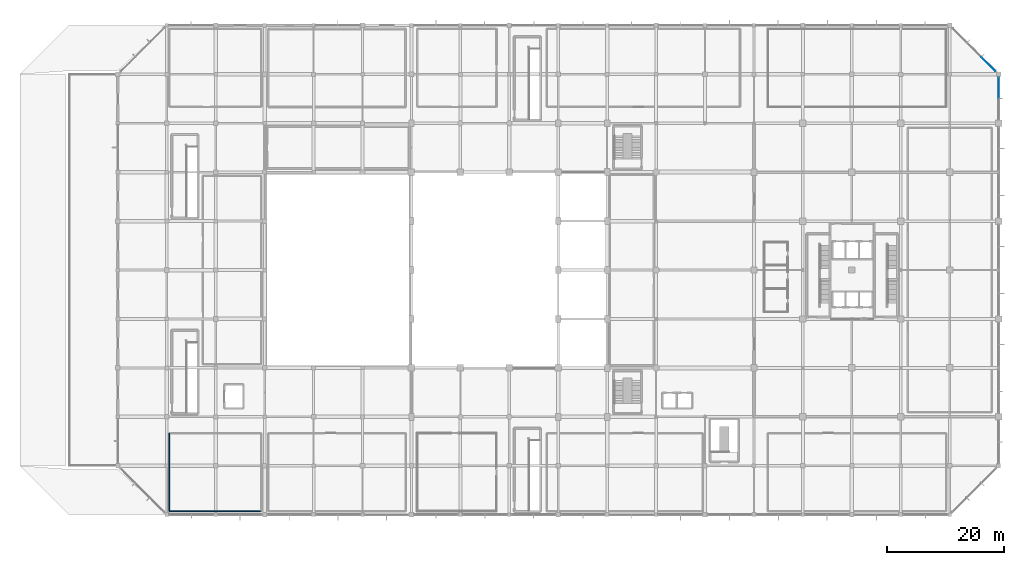
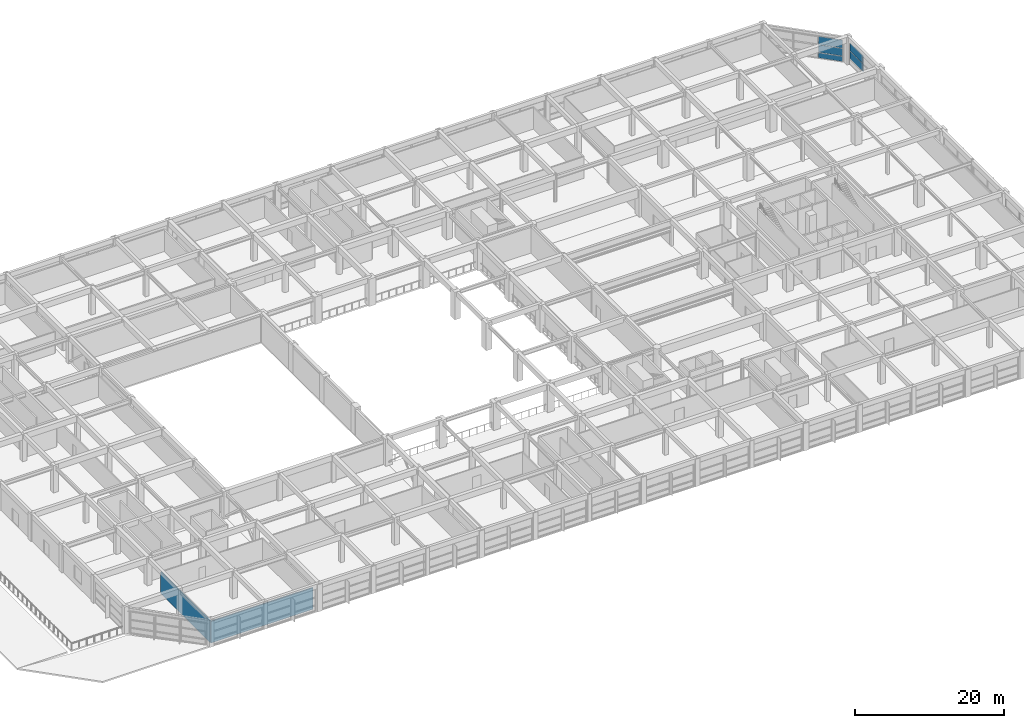
# One storey, part 41 of 56: 5 plates, 2 walls, 2 elements without a shape of their own.
"""IFC4 building model written with IfcOpenShell, lengths in metres."""

import ifcopenshell
import ifcopenshell.guid

model = None  # the IFC model being written
_history = None  # IfcOwnerHistory: only IFC2X3 demands one
_inside = {}  # id of a spatial element -> (the spatial element, [elements in it])
_under = {}  # id of a project, library or spatial element -> (it, [spatial elements below it])
_declared = {}  # id of a project -> (the project, [libraries it declares])
_typed = {}  # id of a type object -> (the type object, [elements of that type])
_made_of = {}  # id of a material, layer set ... -> (it, [elements and type objects made of it])


def new_model(schema):
    """Start an empty IFC model of exactly this schema.

    Asked for "IFC4X3", IfcOpenShell would pick the latest addendum, in which some entities
    have other attributes; the version numbers below select the first issue.
    IFC2X3 requires an IfcOwnerHistory on every rooted entity: one is made here for all.
    """
    global model, _history
    if schema == "IFC4X3":
        model = ifcopenshell.file(schema_version=(4, 3, 0, 0))
    else:
        model = ifcopenshell.file(schema=schema)
    _inside.clear()
    _under.clear()
    _declared.clear()
    _typed.clear()
    _made_of.clear()
    _history = None
    if model.schema == "IFC2X3":
        org = make("IfcOrganization", Name="unknown")
        user = make(
            "IfcPersonAndOrganization",
            ThePerson=make("IfcPerson", FamilyName="unknown"),
            TheOrganization=org,
        )
        app = make(
            "IfcApplication",
            ApplicationDeveloper=org,
            Version="unknown",
            ApplicationFullName="unknown",
            ApplicationIdentifier="unknown",
        )
        _history = make(
            "IfcOwnerHistory",
            OwningUser=user,
            OwningApplication=app,
            ChangeAction="ADDED",
            CreationDate=0,
        )
    return model


def make(cls, **values):
    """One entity of the class cls with the attributes given. An attribute that is None is left unset."""
    return model.create_entity(
        cls, **{name: value for name, value in values.items() if value is not None}
    )


def rooted(cls, **values):
    """An entity with a GlobalId (a new one), such as an element, a storey or a relation."""
    return make(cls, GlobalId=ifcopenshell.guid.new(), OwnerHistory=_history, **values)


def si_unit(unit_type, name, prefix=None):
    """IfcSIUnit, for example si_unit("LENGTHUNIT", "METRE", prefix="MILLI")."""
    return make("IfcSIUnit", UnitType=unit_type, Prefix=prefix, Name=name)


def assignment(units):
    """IfcUnitAssignment: the units of a project."""
    return None if units is None else make("IfcUnitAssignment", Units=units)


def point(xyz):
    """IfcCartesianPoint."""
    return None if xyz is None else make("IfcCartesianPoint", Coordinates=xyz)


def direction(xyz):
    """IfcDirection."""
    return None if xyz is None else make("IfcDirection", DirectionRatios=xyz)


def frame(location, z_axis=None, x_axis=None):
    """IfcAxis2Placement3D, a coordinate frame: its origin and axes. An axis left out is left unset."""
    return make(
        "IfcAxis2Placement3D",
        Location=point(location),
        Axis=direction(z_axis),
        RefDirection=direction(x_axis),
    )


def frame_2d(location, x_axis=None):
    """IfcAxis2Placement2D, a coordinate frame in the plane: its origin and x axis."""
    return make(
        "IfcAxis2Placement2D", Location=point(location), RefDirection=direction(x_axis)
    )


def origin():
    """The frame at (0, 0, 0) with its axes left unset."""
    return frame((0.0, 0.0, 0.0))


def origin_2d():
    """The frame at (0, 0) in the plane with its x axis left unset."""
    return frame_2d((0.0, 0.0))


def place(relative_to, where):
    """IfcLocalPlacement: puts the frame where relative to a parent placement (None: the world)."""
    return make(
        "IfcLocalPlacement", PlacementRelTo=relative_to, RelativePlacement=where
    )


def context(
    kind, dimensions, precision=None, world=None, true_north=None, identifier=None
):
    """IfcGeometricRepresentationContext, for example the 3D "Model" context."""
    return make(
        "IfcGeometricRepresentationContext",
        ContextIdentifier=identifier,
        ContextType=kind,
        CoordinateSpaceDimension=dimensions,
        Precision=precision,
        WorldCoordinateSystem=world,
        TrueNorth=true_north,
    )


def subcontext(parent, identifier, kind, view, scale=None):
    """IfcGeometricRepresentationSubContext, for example "Body" below "Model"."""
    return make(
        "IfcGeometricRepresentationSubContext",
        ContextIdentifier=identifier,
        ContextType=kind,
        ParentContext=parent,
        TargetScale=scale,
        TargetView=view,
    )


def project(units=None, contexts=None):
    """IfcProject with its units and contexts."""
    return rooted(
        "IfcProject",
        Name="project",
        RepresentationContexts=contexts,
        UnitsInContext=assignment(units),
    )


def spatial(cls, under=None, at=None, **own):
    """A site, building, storey or space (cls), placed at a placement, below another one or the project."""
    s = rooted(cls, ObjectPlacement=at, **own)
    if under is not None:
        _under.setdefault(under.id(), (under, []))[1].append(s)
    return s


def profile(cls, at=None, kind="AREA", **sizes):
    """A parametric profile (cls). Its sizes go by their IFC names, for example OverallWidth=200.0."""
    return make(cls, ProfileType=kind, Position=at, **sizes)


def rectangle(**sizes):
    """IfcRectangleProfileDef."""
    return profile("IfcRectangleProfileDef", **sizes)


def extrude(swept, where, along, depth):
    """IfcExtrudedAreaSolid: the profile swept, set in the frame where, extruded along a direction by depth."""
    return make(
        "IfcExtrudedAreaSolid",
        SweptArea=swept,
        Position=where,
        ExtrudedDirection=direction(along),
        Depth=depth,
    )


def shape(context_of_items, identifier, shape_type, items):
    """IfcShapeRepresentation: the items that make up one representation, for example the "Body"."""
    return make(
        "IfcShapeRepresentation",
        ContextOfItems=context_of_items,
        RepresentationIdentifier=identifier,
        RepresentationType=shape_type,
        Items=items,
    )


def material(Name=None, Category=None):
    """IfcMaterial."""
    return make("IfcMaterial", Name=Name, Category=Category)


def layer(
    of_material, thickness, ventilated=None, Name=None, Category=None, Priority=None
):
    """IfcMaterialLayer: one layer of a wall or slab, of a material (None: an air gap)."""
    return make(
        "IfcMaterialLayer",
        Material=of_material,
        LayerThickness=thickness,
        IsVentilated=ventilated,
        Name=Name,
        Category=Category,
        Priority=Priority,
    )


def layer_set(layers, Name=None):
    """IfcMaterialLayerSet."""
    return make("IfcMaterialLayerSet", MaterialLayers=layers, LayerSetName=Name)


def made_of(thing, what):
    """Note that an element or type object is made of a material, layer set ...; save() writes the relation."""
    if what is not None:
        _made_of.setdefault(what.id(), (what, []))[1].append(thing)
    return thing


def type_object(cls, material=None, **own):
    """A type object (cls), such as IfcWallType, which elements share."""
    return made_of(rooted(cls, **own), material)


def element(
    cls,
    number,
    at=None,
    inside=None,
    cuts=None,
    type_object=None,
    material=None,
    context=None,
    identifier="Body",
    shape_type=None,
    held_by="IfcProductDefinitionShape",
    body=None,
    shapes=None,
    **own,
):
    """One element of the class cls, such as IfcWall. Its Tag is "e" and its number.

    at: its placement. inside: the storey or other place that contains it. cuts: it is an
    opening in that element (IfcRelVoidsElement). A single representation is given by context,
    identifier, shape_type and body (its items); several are given by shapes. held_by: the class
    of the entity that holds the representations. save() writes the other relations.
    """
    e = rooted(cls, Tag="e%d" % number, ObjectPlacement=at, **own)
    if body is not None:
        shapes = [shape(context, identifier, shape_type, body)]
    if shapes is not None:
        e.Representation = make(held_by, Representations=shapes)
    if inside is not None:
        _inside.setdefault(inside.id(), (inside, []))[1].append(e)
    if cuts is not None:
        rooted(
            "IfcRelVoidsElement", RelatingBuildingElement=cuts, RelatedOpeningElement=e
        )
    if type_object is not None:
        _typed.setdefault(type_object.id(), (type_object, []))[1].append(e)
    return made_of(e, material)


def aggregate(whole, parts):
    """IfcRelAggregates: a whole, such as a stair, and the parts it consists of."""
    return rooted("IfcRelAggregates", RelatingObject=whole, RelatedObjects=parts)


def save(model, path):
    """Write the relations noted so far, then the file.

    IfcRelAggregates (storeys below a building ...), IfcRelContainedInSpatialStructure (elements
    in a storey), IfcRelDefinesByType, IfcRelAssociatesMaterial and IfcRelDeclares: one each for
    every whole, place, type object, material and project.
    """
    for whole, parts in _under.values():
        aggregate(whole, parts)
    for where, things in _inside.values():
        rooted(
            "IfcRelContainedInSpatialStructure",
            RelatedElements=things,
            RelatingStructure=where,
        )
    for kind, things in _typed.values():
        rooted("IfcRelDefinesByType", RelatedObjects=things, RelatingType=kind)
    for what, things in _made_of.values():
        rooted("IfcRelAssociatesMaterial", RelatedObjects=things, RelatingMaterial=what)
    for by, libraries in _declared.values():
        rooted("IfcRelDeclares", RelatingContext=by, RelatedDefinitions=libraries)
    model.write(path)


model = new_model("IFC4")

# Units and contexts
model_context = context("Model", 3, precision=1e-05, world=origin(), true_north=direction((0.0, 1.0)))
body_context = subcontext(model_context, "Body", "Model", "MODEL_VIEW")
ifc_project = project(units=[si_unit("LENGTHUNIT", "METRE"), si_unit("AREAUNIT", "SQUARE_METRE"), si_unit("VOLUMEUNIT", "CUBIC_METRE"), si_unit("PLANEANGLEUNIT", "RADIAN"), si_unit("MASSUNIT", "GRAM", prefix="KILO")], contexts=[model_context])

# Site, building, storey
site_placement = place(None, origin())
site = spatial("IfcSite", under=ifc_project, at=site_placement, CompositionType="ELEMENT")
building_placement = place(site_placement, origin())
building = spatial("IfcBuilding", under=site, at=building_placement, Name="Xuanlan Plaza Opera House", CompositionType="ELEMENT")
storey_placement = place(building_placement, frame((0.0, 0.0, 18.89990234375)))
storey = spatial("IfcBuildingStorey", under=building, at=storey_placement, Name="L04", CompositionType="ELEMENT", Elevation=18.89990234375)

# Curtain wall, plates
ifc_material_1 = material(Name="Anodised Aluminium 6063-T6 and Low-E Glass", Category="aluminium")
curtain_wall_type_1 = type_object("IfcCurtainWallType", Name="ENV-CW-CW-03", PredefinedType="USERDEFINED", material=ifc_material_1)
curtain_wall_1_placement = place(storey_placement, origin())
curtain_wall_1 = element("IfcCurtainWall", 1, at=curtain_wall_1_placement, inside=storey, type_object=curtain_wall_type_1, Name="Unitised Curtain Wall L04-025", ObjectType="UNITISED CURTAIN WALL", PredefinedType="USERDEFINED")
ifc_material_2 = material(Name="Laminated Acoustic Double Glazing", Category="glass")
ifc_layer_1 = layer(ifc_material_2, 0.028076171875)
ifc_layer_set_1 = layer_set([ifc_layer_1], Name="Laminated Acoustic Double Glazing")
plate_type_1 = type_object("IfcPlateType", Name="ENV-CWP-01", PredefinedType="CURTAIN_PANEL", material=ifc_layer_set_1)
plate_1_placement = place(storey_placement, frame((168.0, 90.111328125, 0.982421875), z_axis=(0.0, 0.0, 1.0), x_axis=(0.0, 1.0, 0.0)))
plate_1 = element("IfcPlate", 2, at=plate_1_placement, type_object=plate_type_1, Name="CW-03 panel 2.2", PredefinedType="CURTAIN_PANEL", context=body_context, shape_type="SweptSolid", body=[
    extrude(rectangle(XDim=3.607421875, YDim=0.028076171875, at=origin_2d()), origin(), (0.0, 0.0, 1.0), 1.235107421875),
])
plate_2_placement = place(storey_placement, frame((168.0, 90.111328125, 2.282470703125), z_axis=(0.0, 0.0, 1.0), x_axis=(0.0, 1.0, 0.0)))
plate_2 = element("IfcPlate", 3, at=plate_2_placement, type_object=plate_type_1, Name="CW-03 panel 2.3", PredefinedType="CURTAIN_PANEL", context=body_context, shape_type="SweptSolid", body=[
    extrude(rectangle(XDim=3.607421875, YDim=0.028076171875, at=origin_2d()), origin(), (0.0, 0.0, 1.0), 1.33251953125),
])
aggregate(curtain_wall_1, [plate_1, plate_2])

curtain_wall_type_2 = type_object("IfcCurtainWallType", Name="ENV-CW-CW-04", PredefinedType="USERDEFINED", material=ifc_material_1)
curtain_wall_2_placement = place(storey_placement, origin())
curtain_wall_2 = element("IfcCurtainWall", 4, at=curtain_wall_2_placement, inside=storey, type_object=curtain_wall_type_2, Name="Unitised Curtain Wall L04-026", ObjectType="UNITISED CURTAIN WALL", PredefinedType="USERDEFINED")
ifc_layer_2 = layer(ifc_material_2, 0.0400390625)
ifc_layer_set_2 = layer_set([ifc_layer_2], Name="Laminated Acoustic Double Glazing")
plate_type_2 = type_object("IfcPlateType", Name="ENV-CWP-04", PredefinedType="CURTAIN_PANEL", material=ifc_layer_set_2)
plate_3_placement = place(storey_placement, frame((166.2548828125, 94.14501953125, 0.0751953125), z_axis=(0.0, 0.0, 1.0), x_axis=(-0.707106781187, 0.707106781187, 0.0)))
plate_3 = element("IfcPlate", 5, at=plate_3_placement, type_object=plate_type_2, Name="CW-04 panel 1.1", PredefinedType="CURTAIN_PANEL", context=body_context, shape_type="SweptSolid", body=[
    extrude(rectangle(XDim=3.38427734375, YDim=0.0400390625, at=origin_2d()), origin(), (0.0, 0.0, 1.0), 0.83740234375),
])
plate_4_placement = place(storey_placement, frame((166.2548828125, 94.14501953125, 0.987548828125), z_axis=(0.0, 0.0, 1.0), x_axis=(-0.707106781187, 0.707106781187, 0.0)))
plate_4 = element("IfcPlate", 6, at=plate_4_placement, type_object=plate_type_2, Name="CW-04 panel 1.2", PredefinedType="CURTAIN_PANEL", context=body_context, shape_type="SweptSolid", body=[
    extrude(rectangle(XDim=3.38427734375, YDim=0.0400390625, at=origin_2d()), origin(), (0.0, 0.0, 1.0), 1.22509765625),
])
plate_5_placement = place(storey_placement, frame((166.2548828125, 94.14501953125, 2.28759765625), z_axis=(0.0, 0.0, 1.0), x_axis=(-0.707106781187, 0.707106781187, 0.0)))
plate_5 = element("IfcPlate", 7, at=plate_5_placement, type_object=plate_type_2, Name="CW-04 panel 1.3", PredefinedType="CURTAIN_PANEL", context=body_context, shape_type="SweptSolid", body=[
    extrude(rectangle(XDim=3.38427734375, YDim=0.0400390625, at=origin_2d()), origin(), (0.0, 0.0, 1.0), 1.3173828125),
])
aggregate(curtain_wall_2, [plate_3, plate_4, plate_5])

# Walls
ifc_material_3 = material(Name="Gypsum Board and Galvanised Steel Studs", Category="gypsum")
ifc_layer_3 = layer(ifc_material_3, 0.179931640625)
ifc_layer_set_3 = layer_set([ifc_layer_3], Name="Gypsum Board and Galvanised Steel Studs")
wall_type = type_object("IfcWallType", Name="INT-WL-PW-02", PredefinedType="PARTITIONING", material=ifc_layer_set_3)
wall_1_placement = place(storey_placement, frame((25.60009765625, 17.39990234375, 0.0), z_axis=(0.0, 0.0, 1.0), x_axis=(1.0, 0.0, 0.0)))
element("IfcWall", 8, at=wall_1_placement, inside=storey, type_object=wall_type, Name="Scenic Model and Design Studio Wall South", PredefinedType="PARTITIONING", context=body_context, shape_type="SweptSolid", body=[
    extrude(rectangle(XDim=15.7998046875, YDim=0.179931640625, at=frame_2d((7.89990234375, 0.0))), origin(), (0.0, 0.0, 1.0), 3.5400390625),
])
wall_2_placement = place(storey_placement, frame((25.60009765625, 17.39990234375, 0.0), z_axis=(0.0, 0.0, 1.0), x_axis=(0.0, 1.0, 0.0)))
element("IfcWall", 9, at=wall_2_placement, inside=storey, type_object=wall_type, Name="Scenic Model and Design Studio Wall West", PredefinedType="PARTITIONING", context=body_context, shape_type="SweptSolid", body=[
    extrude(rectangle(XDim=13.400146484375, YDim=0.179931640625, at=frame_2d((6.7001953125, 0.0))), origin(), (0.0, 0.0, 1.0), 3.5400390625),
])

save(model, "model.ifc")
